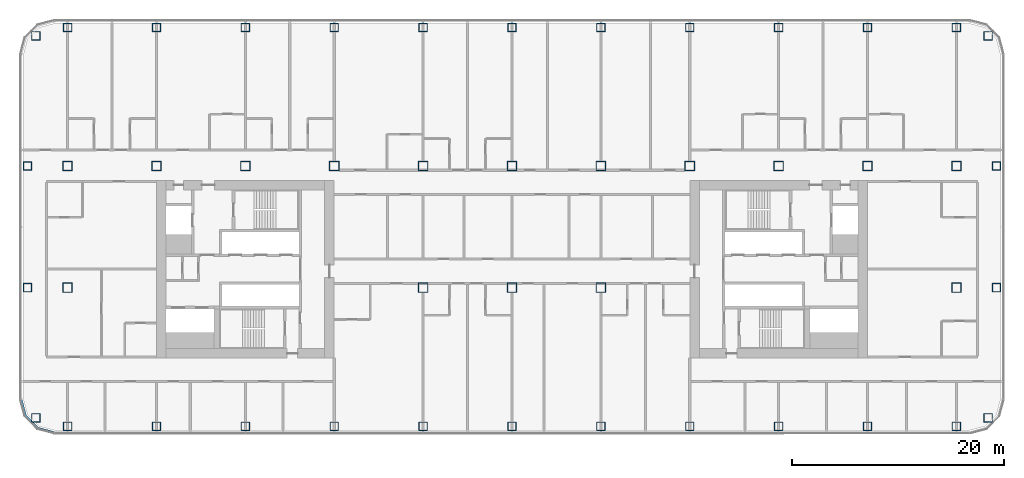
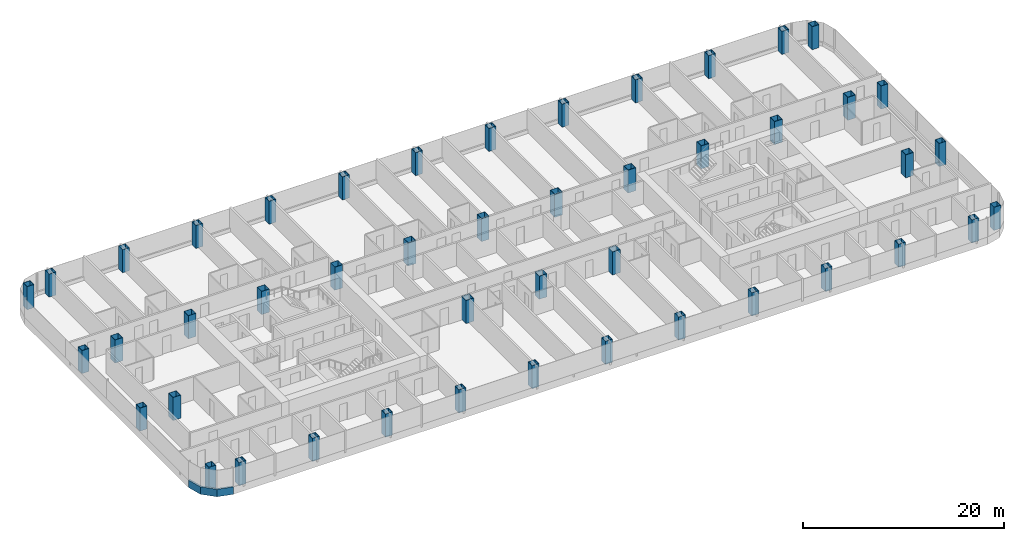
# One storey, part 1 of 29: 46 columns, 1 member, 1 element without a shape of its own.
"""IFC4 building model written with IfcOpenShell, lengths in metres."""

from ifc_helpers import new_model, si_unit, direction, frame, origin, origin_2d, place, context, subcontext, project, spatial, polyline, rectangle, hollow_rectangle, outline, extrude, material, layer, layer_set, material_profile, profile_set, type_object, element, aggregate, save


model = new_model("IFC4")

# Units and contexts
model_context = context("Model", 3, precision=1e-05, world=origin(), true_north=direction((0.0, 1.0)))
body_context = subcontext(model_context, "Body", "Model", "MODEL_VIEW")
ifc_project = project(units=[si_unit("LENGTHUNIT", "METRE"), si_unit("AREAUNIT", "SQUARE_METRE"), si_unit("VOLUMEUNIT", "CUBIC_METRE"), si_unit("PLANEANGLEUNIT", "RADIAN"), si_unit("MASSUNIT", "GRAM", prefix="KILO")], contexts=[model_context])

# Site, building, storey
site_placement = place(None, origin())
site = spatial("IfcSite", under=ifc_project, at=site_placement, CompositionType="ELEMENT")
building_placement = place(site_placement, origin())
building = spatial("IfcBuilding", under=site, at=building_placement, Name="Hakoniwa Tower and Hamabe Station Hall", CompositionType="ELEMENT")
storey_placement = place(building_placement, frame((0.0, 0.0, 97.800048828125)))
storey = spatial("IfcBuildingStorey", under=building, at=storey_placement, Name="L27", CompositionType="ELEMENT", Elevation=97.800048828125)

# Columns
ifc_material_1 = material(Name="Steel SN490C", Category="steel")
ifc_material_profile_1 = material_profile(ifc_material_1, hollow_rectangle(XDim=0.800048828125, YDim=0.800048828125, WallThickness=0.031982421875, at=origin_2d()), Name="BX-800x800x32")
ifc_profile_set_1 = profile_set([ifc_material_profile_1], Name="Steel SN490C")
column_type_1 = type_object("IfcColumnType", Name="COLUMN BX-800x800x32", PredefinedType="COLUMN", material=ifc_profile_set_1)
for number, where, z_axis, x_axis, name in (
    (1, (-45.003173828125, -14.052978515625, 0.0), (0.0, 0.0, 1.0), (1.0, 0.0, 0.0), "Column B2-EW-A2"),
    (2, (-45.800048828125, -1.75, 0.0), (0.0, 0.0, 1.0), (1.0, 0.0, 0.0), "Column B2-EW-C2"),
    (3, (-45.800048828125, 9.75, 0.0), (0.0, 0.0, 1.0), (1.0, 0.0, 0.0), "Column B2-EW-E2"),
    (4, (-45.003173828125, 22.052978515625, 0.0), (0.0, 0.0, 1.0), (1.0, 0.0, 0.0), "Column B2-EW-G2"),
    (5, (-42.0, -14.85009765625, 0.0), (0.0, 0.0, 1.0), (1.0, 0.0, 0.0), "Column B2-2-A2"),
    (6, (-42.0, 22.85009765625, 0.0), (0.0, 0.0, 1.0), (1.0, 0.0, 0.0), "Column B2-2-G2"),
    (7, (-33.60009765625, -14.85009765625, 0.0), (0.0, 0.0, 1.0), (1.0, 0.0, 0.0), "Column B2-3-A2"),
    (8, (-33.60009765625, 22.85009765625, 0.0), (0.0, 0.0, 1.0), (1.0, 0.0, 0.0), "Column B2-3-G2"),
    (9, (-25.199951171875, -14.85009765625, 0.0), (0.0, 0.0, 1.0), (1.0, 0.0, 0.0), "Column B2-4-A2"),
    (10, (-25.199951171875, 22.85009765625, 0.0), (0.0, 0.0, 1.0), (1.0, 0.0, 0.0), "Column B2-4-G2"),
    (11, (-16.800048828125, -14.85009765625, 0.0), (0.0, 0.0, 1.0), (1.0, 0.0, 0.0), "Column B2-5-A2"),
    (12, (-16.800048828125, 22.85009765625, 0.0), (0.0, 0.0, 1.0), (1.0, 0.0, 0.0), "Column B2-5-G2"),
    (13, (-8.39990234375, -14.85009765625, 0.0), (0.0, 0.0, 1.0), (1.0, 0.0, 0.0), "Column B2-6-A2"),
    (14, (-8.39990234375, 22.85009765625, 0.0), (0.0, 0.0, 1.0), (1.0, 0.0, 0.0), "Column B2-6-G2"),
    (15, (0.0, -14.85009765625, 0.0), (0.0, 0.0, 1.0), (1.0, 0.0, 0.0), "Column B2-7-A2"),
    (16, (0.0, 22.85009765625, 0.0), (0.0, 0.0, 1.0), (1.0, 0.0, 0.0), "Column B2-7-G2"),
    (17, (8.39990234375, -14.85009765625, 0.0), (0.0, 0.0, 1.0), (1.0, 0.0, 0.0), "Column B2-8-A2"),
    (18, (8.39990234375, 22.85009765625, 0.0), (0.0, 0.0, 1.0), (1.0, 0.0, 0.0), "Column B2-8-G2"),
    (19, (16.800048828125, -14.85009765625, 0.0), (0.0, 0.0, 1.0), (1.0, 0.0, 0.0), "Column B2-9-A2"),
    (20, (16.800048828125, 22.85009765625, 0.0), (0.0, 0.0, 1.0), (1.0, 0.0, 0.0), "Column B2-9-G2"),
    (21, (25.199951171875, -14.85009765625, 0.0), (0.0, 0.0, 1.0), (1.0, 0.0, 0.0), "Column B2-10-A2"),
    (22, (25.199951171875, 22.85009765625, 0.0), (0.0, 0.0, 1.0), (1.0, 0.0, 0.0), "Column B2-10-G2"),
    (23, (33.60009765625, -14.85009765625, 0.0), (0.0, 0.0, 1.0), (1.0, 0.0, 0.0), "Column B2-11-A2"),
    (24, (33.60009765625, 22.85009765625, 0.0), (0.0, 0.0, 1.0), (1.0, 0.0, 0.0), "Column B2-11-G2"),
    (25, (42.0, -14.85009765625, 0.0), (0.0, 0.0, 1.0), (1.0, 0.0, 0.0), "Column B2-12-A2"),
    (26, (42.0, 22.85009765625, 0.0), (0.0, 0.0, 1.0), (1.0, 0.0, 0.0), "Column B2-12-G2"),
    (27, (45.003173828125, -14.052978515625, 0.0), (0.0, 0.0, 1.0), (1.0, 0.0, 0.0), "Column B2-EE-A2"),
    (28, (45.800048828125, -1.75, 0.0), (0.0, 0.0, 1.0), (1.0, 0.0, 0.0), "Column B2-EE-C2"),
    (29, (45.800048828125, 9.75, 0.0), (0.0, 0.0, 1.0), (1.0, 0.0, 0.0), "Column B2-EE-E2"),
    (30, (45.003173828125, 22.052978515625, 0.0), (0.0, 0.0, 1.0), (1.0, 0.0, 0.0), "Column B2-EE-G2"),
):
    element("IfcColumn", number, at=place(storey_placement, frame(where, z_axis=z_axis, x_axis=x_axis)), inside=storey, type_object=column_type_1, Name=name, PredefinedType="COLUMN", context=body_context, shape_type="SweptSolid", body=[
        extrude(hollow_rectangle(XDim=0.800048828125, YDim=0.800048828125, WallThickness=0.031982421875, at=origin_2d()), origin(), (0.0, 0.0, 1.0), 2.800048828125),
    ])
ifc_material_2 = material(Name="Steel SN490C", Category="steel")
ifc_material_profile_2 = material_profile(ifc_material_2, hollow_rectangle(XDim=0.89990234375, YDim=0.89990234375, WallThickness=0.035888671875, at=origin_2d()), Name="BX-900x900x36")
ifc_profile_set_2 = profile_set([ifc_material_profile_2], Name="Steel SN490C")
column_type_2 = type_object("IfcColumnType", Name="COLUMN BX-900x900x36", PredefinedType="COLUMN", material=ifc_profile_set_2)
for number, where, z_axis, x_axis, name in (
    (31, (-42.0, -1.75, 0.0), (0.0, 0.0, 1.0), (1.0, 0.0, 0.0), "Column B2-2-C2"),
    (32, (-42.0, 9.75, 0.0), (0.0, 0.0, 1.0), (1.0, 0.0, 0.0), "Column B2-2-E2"),
    (33, (-33.60009765625, 9.75, 0.0), (0.0, 0.0, 1.0), (1.0, 0.0, 0.0), "Column B2-3-E2"),
    (34, (-25.199951171875, 9.75, 0.0), (0.0, 0.0, 1.0), (1.0, 0.0, 0.0), "Column B2-4-E2"),
    (35, (-16.800048828125, 9.75, 0.0), (0.0, 0.0, 1.0), (1.0, 0.0, 0.0), "Column B2-5-E2"),
    (36, (-8.39990234375, -1.75, 0.0), (0.0, 0.0, 1.0), (1.0, 0.0, 0.0), "Column B2-6-C2"),
    (37, (-8.39990234375, 9.75, 0.0), (0.0, 0.0, 1.0), (1.0, 0.0, 0.0), "Column B2-6-E2"),
    (38, (0.0, -1.75, 0.0), (0.0, 0.0, 1.0), (1.0, 0.0, 0.0), "Column B2-7-C2"),
    (39, (0.0, 9.75, 0.0), (0.0, 0.0, 1.0), (1.0, 0.0, 0.0), "Column B2-7-E2"),
    (40, (8.39990234375, -1.75, 0.0), (0.0, 0.0, 1.0), (1.0, 0.0, 0.0), "Column B2-8-C2"),
    (41, (8.39990234375, 9.75, 0.0), (0.0, 0.0, 1.0), (1.0, 0.0, 0.0), "Column B2-8-E2"),
    (42, (16.800048828125, 9.75, 0.0), (0.0, 0.0, 1.0), (1.0, 0.0, 0.0), "Column B2-9-E2"),
    (43, (25.199951171875, 9.75, 0.0), (0.0, 0.0, 1.0), (1.0, 0.0, 0.0), "Column B2-10-E2"),
    (44, (33.60009765625, 9.75, 0.0), (0.0, 0.0, 1.0), (1.0, 0.0, 0.0), "Column B2-11-E2"),
    (45, (42.0, -1.75, 0.0), (0.0, 0.0, 1.0), (1.0, 0.0, 0.0), "Column B2-12-C2"),
    (46, (42.0, 9.75, 0.0), (0.0, 0.0, 1.0), (1.0, 0.0, 0.0), "Column B2-12-E2"),
):
    element("IfcColumn", number, at=place(storey_placement, frame(where, z_axis=z_axis, x_axis=x_axis)), inside=storey, type_object=column_type_2, Name=name, PredefinedType="COLUMN", context=body_context, shape_type="SweptSolid", body=[
        extrude(hollow_rectangle(XDim=0.89990234375, YDim=0.89990234375, WallThickness=0.035888671875, at=origin_2d()), origin(), (0.0, 0.0, 1.0), 2.800048828125),
    ])

# Curtain wall, member
ifc_material_3 = material(Name="Dark low-e laminated glass", Category="glass")
ifc_layer = layer(ifc_material_3, 0.199951171875)
ifc_layer_set = layer_set([ifc_layer], Name="CW-1 UNITISED GUEST")
curtain_wall_type = type_object("IfcCurtainWallType", Name="CW-1 UNITISED GUEST", PredefinedType="NOTDEFINED", material=ifc_layer_set)
curtain_wall_placement = place(storey_placement, origin())
curtain_wall = element("IfcCurtainWall", 47, at=curtain_wall_placement, inside=storey, type_object=curtain_wall_type, Name="CW-1 curtain wall", PredefinedType="NOTDEFINED")
ifc_material_4 = material(Name="Aluminium 6063-T5 black anodised", Category="aluminium")
ifc_material_profile_3 = material_profile(ifc_material_4, rectangle(XDim=0.199951171875, YDim=0.89990234375, at=origin_2d()), Name="CW SLAB-EDGE BAND 900X200")
ifc_profile_set_3 = profile_set([ifc_material_profile_3], Name="Aluminium 6063-T5 black anodised")
member_type = type_object("IfcMemberType", Name="CW SLAB-EDGE BAND 900X200", PredefinedType="USERDEFINED", material=ifc_profile_set_3)
member_placement = place(storey_placement, frame((0.0, 0.0, -0.550048828125)))
member = element("IfcMember", 48, at=member_placement, type_object=member_type, Name="CW-1 transom", ObjectType="TRANSOM", PredefinedType="USERDEFINED", context=body_context, shape_type="SweptSolid", body=[
    extrude(outline(polyline([(-46.5, -12.28955078125), (-46.067138671875, -13.9052734375), (-44.855224609375, -15.116943359375), (-43.239501953125, -15.550048828125), (-43.187744140625, -15.35693359375), (-44.751708984375, -14.937744140625), (-45.8876953125, -13.8017578125), (-46.306884765625, -12.23779296875), (-46.5, -12.28955078125)])), origin(), (0.0, 0.0, 1.0), 0.89990234375),
])
aggregate(curtain_wall, [member])

save(model, "model.ifc")
